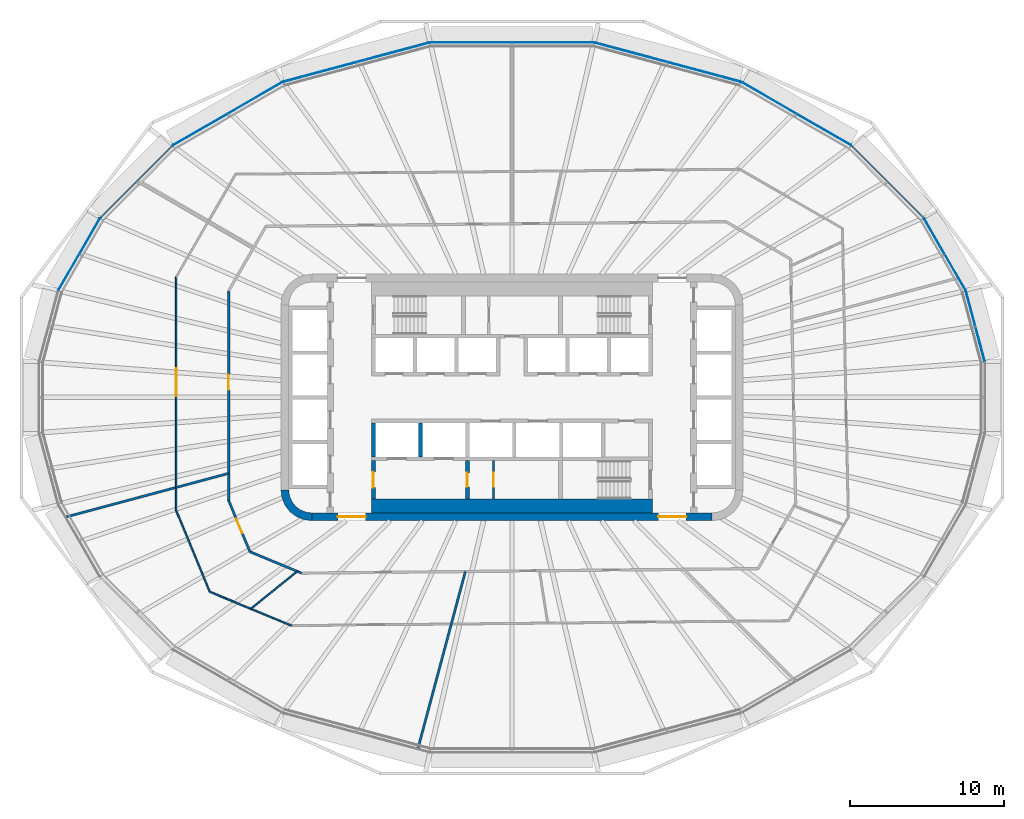
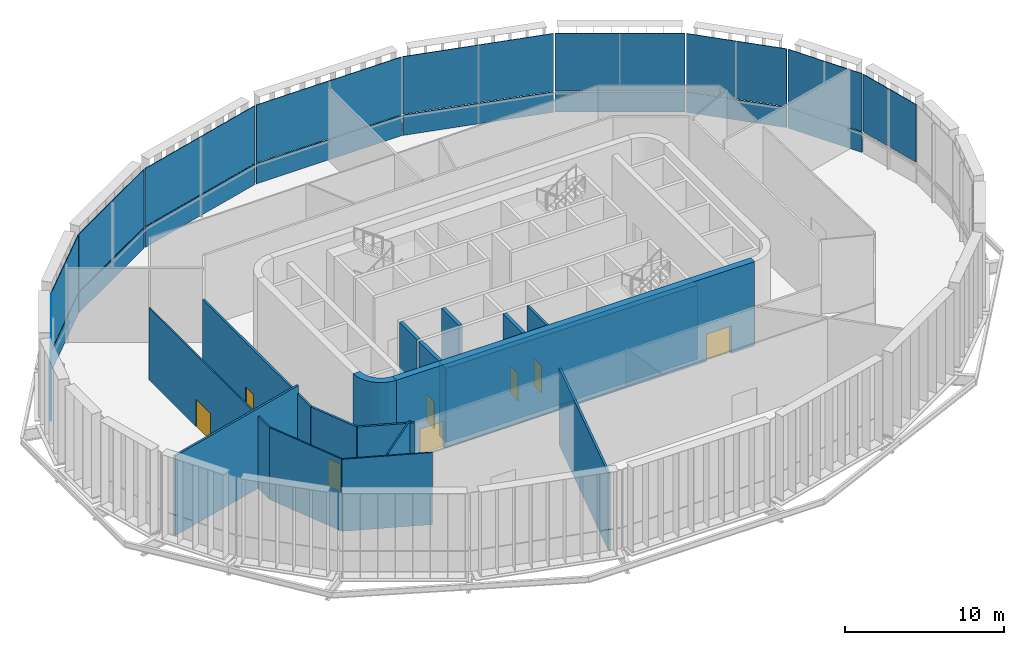
# One storey, part 7 of 18: 19 plates, 17 walls, 8 doors, 8 openings, 10 elements without a shape of their own.
"""IFC4 building model written with IfcOpenShell, lengths in metres."""

from ifc_helpers import new_model, si_unit, direction, frame, frame_2d, origin, place, context, subcontext, project, spatial, polyline, rectangle, outline, extrude, material, layer, layer_set, type_object, element, fill, aggregate, save


model = new_model("IFC4")

# Units and contexts
model_context = context("Model", 3, precision=1e-05, world=origin(), true_north=direction((0.0, 1.0)))
body_context = subcontext(model_context, "Body", "Model", "MODEL_VIEW")
ifc_project = project(units=[si_unit("LENGTHUNIT", "METRE"), si_unit("AREAUNIT", "SQUARE_METRE"), si_unit("VOLUMEUNIT", "CUBIC_METRE"), si_unit("PLANEANGLEUNIT", "RADIAN"), si_unit("MASSUNIT", "GRAM", prefix="KILO")], contexts=[model_context])

# Site, building, storey
site_placement = place(None, origin())
site = spatial("IfcSite", under=ifc_project, at=site_placement, CompositionType="ELEMENT")
building_placement = place(site_placement, origin())
building = spatial("IfcBuilding", under=site, at=building_placement, Name="Sahrelin Media Tower", CompositionType="ELEMENT")
storey_placement = place(building_placement, frame((0.0, 0.0, 203.0)))
storey = spatial("IfcBuildingStorey", under=building, at=storey_placement, Name="L43", CompositionType="ELEMENT", Elevation=203.0)

# Curtain wall, plate
ifc_material_1 = material(Name="Champagne anodised aluminium 6063-T6", Category="aluminium")
ifc_layer_1 = layer(ifc_material_1, 0.14990234375)
ifc_layer_set_1 = layer_set([ifc_layer_1], Name="Sky lobby curtain wall")
curtain_wall_type = type_object("IfcCurtainWallType", Name="Sky lobby curtain wall", PredefinedType="NOTDEFINED", material=ifc_layer_set_1)
curtain_wall_1_placement = place(storey_placement, frame((30.091796875, 4.613525390625, 0.0), z_axis=(0.0, 0.0, 1.0), x_axis=(1.0, 0.0, 0.0)))
curtain_wall_1 = element("IfcCurtainWall", 1, at=curtain_wall_1_placement, inside=storey, type_object=curtain_wall_type, Name="L43:CW:L43-01", PredefinedType="NOTDEFINED")
ifc_material_2 = material(Name="Clear low-iron glazing", Category="glass")
ifc_layer_2 = layer(ifc_material_2, 0.050048828125)
ifc_layer_set_2 = layer_set([ifc_layer_2], Name="Glazing panel 50 mm CW2")
plate_type = type_object("IfcPlateType", Name="Glazing panel 50 mm CW2", PredefinedType="CURTAIN_PANEL", material=ifc_layer_set_2)
plate_1_placement = place(storey_placement, frame((30.719482421875, 2.3486328125, 1.6298828125), z_axis=(0.965913504326, 0.258865026916, 0.0), x_axis=(-0.258865026916, 0.965913504326, 0.0)))
plate_1 = element("IfcPlate", 2, at=plate_1_placement, type_object=plate_type, Name="L43:CWP2:L43-01", PredefinedType="CURTAIN_PANEL", context=body_context, shape_type="SweptSolid", body=[
    extrude(outline(polyline([(0.0, 0.0), (4.700439453125, 0.0), (4.700439453125, 4.418701171875), (0.0, 4.418701171875), (0.0, 0.0)])), origin(), (0.0, 0.0, -1.0), 0.050048828125),
])
aggregate(curtain_wall_1, [plate_1])

# Curtain wall, plates
curtain_wall_2_placement = place(storey_placement, frame((28.10498046875, 9.297119140625, 0.0), z_axis=(0.0, 0.0, 1.0), x_axis=(1.0, 0.0, 0.0)))
curtain_wall_2 = element("IfcCurtainWall", 3, at=curtain_wall_2_placement, inside=storey, type_object=curtain_wall_type, Name="L43:CW:L43-02", PredefinedType="NOTDEFINED")
plate_2_placement = place(storey_placement, frame((29.462890625, 6.9853515625, 0.0), z_axis=(0.866009672569, 0.500027246275, 0.0), x_axis=(-0.500027246275, 0.866009672569, 0.0)))
plate_2 = element("IfcPlate", 4, at=plate_2_placement, type_object=plate_type, Name="L43:CWP1:L43-02", PredefinedType="CURTAIN_PANEL", context=body_context, shape_type="SweptSolid", body=[
    extrude(outline(polyline([(0.0, 0.0), (5.362060546875, 0.0), (5.362060546875, 1.570068359375), (0.0, 1.570068359375), (0.0, 0.0)])), origin(), (0.0, 0.0, -1.0), 0.050048828125),
])
plate_3_placement = place(storey_placement, frame((29.462890625, 6.9853515625, 1.6298828125), z_axis=(0.866009672569, 0.500027246275, 0.0), x_axis=(-0.500027246275, 0.866009672569, 0.0)))
plate_3 = element("IfcPlate", 5, at=plate_3_placement, type_object=plate_type, Name="L43:CWP2:L43-02", PredefinedType="CURTAIN_PANEL", context=body_context, shape_type="SweptSolid", body=[
    extrude(outline(polyline([(0.0, 0.0), (5.362060546875, 0.0), (5.362060546875, 4.418701171875), (0.0, 4.418701171875), (0.0, 0.0)])), origin(), (0.0, 0.0, -1.0), 0.050048828125),
])
aggregate(curtain_wall_2, [plate_2, plate_3])

curtain_wall_3_placement = place(storey_placement, frame((24.3935546875, 14.00830078125, 0.0), z_axis=(0.0, 0.0, 1.0), x_axis=(1.0, 0.0, 0.0)))
curtain_wall_3 = element("IfcCurtainWall", 6, at=curtain_wall_3_placement, inside=storey, type_object=curtain_wall_type, Name="L43:CW:L43-03", PredefinedType="NOTDEFINED")
plate_4_placement = place(storey_placement, frame((26.71826171875, 11.7119140625, 0.0), z_axis=(0.707106781187, 0.707106781187, 0.0), x_axis=(-0.707106781187, 0.707106781187, 0.0)))
plate_4 = element("IfcPlate", 7, at=plate_4_placement, type_object=plate_type, Name="L43:CWP1:L43-03", PredefinedType="CURTAIN_PANEL", context=body_context, shape_type="SweptSolid", body=[
    extrude(outline(polyline([(0.0, 0.0), (6.53515625, 0.0), (6.53515625, 1.570068359375), (0.0, 1.570068359375), (0.0, 0.0)])), origin(), (0.0, 0.0, -1.0), 0.050048828125),
])
plate_5_placement = place(storey_placement, frame((26.71826171875, 11.7119140625, 1.6298828125), z_axis=(0.707106781187, 0.707106781187, 0.0), x_axis=(-0.707106781187, 0.707106781187, 0.0)))
plate_5 = element("IfcPlate", 8, at=plate_5_placement, type_object=plate_type, Name="L43:CWP2:L43-03", PredefinedType="CURTAIN_PANEL", context=body_context, shape_type="SweptSolid", body=[
    extrude(outline(polyline([(0.0, 0.0), (6.53515625, 0.0), (6.53515625, 4.418701171875), (0.0, 4.418701171875), (0.0, 0.0)])), origin(), (0.0, 0.0, -1.0), 0.050048828125),
])
aggregate(curtain_wall_3, [plate_4, plate_5])

curtain_wall_4_placement = place(storey_placement, frame((18.46728515625, 18.421142578125, 0.0), z_axis=(0.0, 0.0, 1.0), x_axis=(1.0, 0.0, 0.0)))
curtain_wall_4 = element("IfcCurtainWall", 9, at=curtain_wall_4_placement, inside=storey, type_object=curtain_wall_type, Name="L43:CW:L43-04", PredefinedType="NOTDEFINED")
plate_6_placement = place(storey_placement, frame((22.014404296875, 16.396484375, 0.0), z_axis=(0.499993243844, 0.866029304418, 0.0), x_axis=(-0.866029304418, 0.499993243844, 0.0)))
plate_6 = element("IfcPlate", 10, at=plate_6_placement, type_object=plate_type, Name="L43:CWP1:L43-04", PredefinedType="CURTAIN_PANEL", context=body_context, shape_type="SweptSolid", body=[
    extrude(outline(polyline([(0.0, 0.0), (8.16845703125, 0.0), (8.16845703125, 1.570068359375), (0.0, 1.570068359375), (0.0, 0.0)])), origin(), (0.0, 0.0, -1.0), 0.050048828125),
])
plate_7_placement = place(storey_placement, frame((22.014404296875, 16.396484375, 1.6298828125), z_axis=(0.499993243844, 0.866029304418, 0.0), x_axis=(-0.866029304418, 0.499993243844, 0.0)))
plate_7 = element("IfcPlate", 11, at=plate_7_placement, type_object=plate_type, Name="L43:CWP2:L43-04", PredefinedType="CURTAIN_PANEL", context=body_context, shape_type="SweptSolid", body=[
    extrude(outline(polyline([(0.0, 0.0), (8.16845703125, 0.0), (8.16845703125, 4.418701171875), (0.0, 4.418701171875), (0.0, 0.0)])), origin(), (0.0, 0.0, -1.0), 0.050048828125),
])
aggregate(curtain_wall_4, [plate_6, plate_7])

curtain_wall_5_placement = place(storey_placement, frame((10.102294921875, 21.770263671875, 0.0), z_axis=(0.0, 0.0, 1.0), x_axis=(1.0, 0.0, 0.0)))
curtain_wall_5 = element("IfcCurtainWall", 12, at=curtain_wall_5_placement, inside=storey, type_object=curtain_wall_type, Name="L43:CW:L43-05", PredefinedType="NOTDEFINED")
plate_8_placement = place(storey_placement, frame((14.843994140625, 20.5205078125, 0.0), z_axis=(0.258832315595, 0.965922270374, 0.0), x_axis=(-0.965922270374, 0.258832315595, 0.0)))
plate_8 = element("IfcPlate", 13, at=plate_8_placement, type_object=plate_type, Name="L43:CWP1:L43-05", PredefinedType="CURTAIN_PANEL", context=body_context, shape_type="SweptSolid", body=[
    extrude(outline(polyline([(0.0, 0.0), (9.806884765625, 0.0), (9.806884765625, 1.570068359375), (0.0, 1.570068359375), (0.0, 0.0)])), origin(), (0.0, 0.0, -1.0), 0.050048828125),
])
plate_9_placement = place(storey_placement, frame((14.843994140625, 20.5205078125, 1.6298828125), z_axis=(0.258832315595, 0.965922270374, 0.0), x_axis=(-0.965922270374, 0.258832315595, 0.0)))
plate_9 = element("IfcPlate", 14, at=plate_9_placement, type_object=plate_type, Name="L43:CWP2:L43-05", PredefinedType="CURTAIN_PANEL", context=body_context, shape_type="SweptSolid", body=[
    extrude(outline(polyline([(0.0, 0.0), (9.806884765625, 0.0), (9.806884765625, 4.418701171875), (0.0, 4.418701171875), (0.0, 0.0)])), origin(), (0.0, 0.0, -1.0), 0.050048828125),
])
aggregate(curtain_wall_5, [plate_8, plate_9])

curtain_wall_6_placement = place(storey_placement, frame((0.0, 23.052490234375, 0.0), z_axis=(0.0, 0.0, 1.0), x_axis=(1.0, 0.0, 0.0)))
curtain_wall_6 = element("IfcCurtainWall", 15, at=curtain_wall_6_placement, inside=storey, type_object=curtain_wall_type, Name="L43:CW:L43-06", PredefinedType="NOTDEFINED")
plate_10_placement = place(storey_placement, frame((5.267822265625, 23.072509765625, 0.0), z_axis=(0.0, 1.0, 0.0), x_axis=(-1.0, 0.0, 0.0)))
plate_10 = element("IfcPlate", 16, at=plate_10_placement, type_object=plate_type, Name="L43:CWP1:L43-06", PredefinedType="CURTAIN_PANEL", context=body_context, shape_type="SweptSolid", body=[
    extrude(outline(polyline([(0.0, 0.0), (10.53564453125, 0.0), (10.53564453125, 1.570068359375), (0.0, 1.570068359375), (0.0, 0.0)])), origin(), (0.0, 0.0, -1.0), 0.050048828125),
])
plate_11_placement = place(storey_placement, frame((5.267822265625, 23.072509765625, 1.6298828125), z_axis=(0.0, 1.0, 0.0), x_axis=(-1.0, 0.0, 0.0)))
plate_11 = element("IfcPlate", 17, at=plate_11_placement, type_object=plate_type, Name="L43:CWP2:L43-06", PredefinedType="CURTAIN_PANEL", context=body_context, shape_type="SweptSolid", body=[
    extrude(outline(polyline([(0.0, 0.0), (10.53564453125, 0.0), (10.53564453125, 4.418701171875), (0.0, 4.418701171875), (0.0, 0.0)])), origin(), (0.0, 0.0, -1.0), 0.050048828125),
])
aggregate(curtain_wall_6, [plate_10, plate_11])

curtain_wall_7_placement = place(storey_placement, frame((-10.102294921875, 21.7705078125, 0.0), z_axis=(0.0, 0.0, 1.0), x_axis=(1.0, 0.0, 0.0)))
curtain_wall_7 = element("IfcCurtainWall", 18, at=curtain_wall_7_placement, inside=storey, type_object=curtain_wall_type, Name="L43:CW:L43-07", PredefinedType="NOTDEFINED")
plate_12_placement = place(storey_placement, frame((-5.371337890625, 23.058837890625, 0.0), z_axis=(-0.258832315595, 0.965922270374, 0.0), x_axis=(-0.965922270374, -0.258832315595, 0.0)))
plate_12 = element("IfcPlate", 19, at=plate_12_placement, type_object=plate_type, Name="L43:CWP1:L43-07", PredefinedType="CURTAIN_PANEL", context=body_context, shape_type="SweptSolid", body=[
    extrude(outline(polyline([(0.0, 0.0), (9.806884765625, 0.0), (9.806884765625, 1.570068359375), (0.0, 1.570068359375), (0.0, 0.0)])), origin(), (0.0, 0.0, -1.0), 0.050048828125),
])
plate_13_placement = place(storey_placement, frame((-5.371337890625, 23.058837890625, 1.6298828125), z_axis=(-0.258832315595, 0.965922270374, 0.0), x_axis=(-0.965922270374, -0.258832315595, 0.0)))
plate_13 = element("IfcPlate", 20, at=plate_13_placement, type_object=plate_type, Name="L43:CWP2:L43-07", PredefinedType="CURTAIN_PANEL", context=body_context, shape_type="SweptSolid", body=[
    extrude(outline(polyline([(0.0, 0.0), (9.806884765625, 0.0), (9.806884765625, 4.418701171875), (0.0, 4.418701171875), (0.0, 0.0)])), origin(), (0.0, 0.0, -1.0), 0.050048828125),
])
aggregate(curtain_wall_7, [plate_12, plate_13])

curtain_wall_8_placement = place(storey_placement, frame((-18.46728515625, 18.421142578125, 0.0), z_axis=(0.0, 0.0, 1.0), x_axis=(1.0, 0.0, 0.0)))
curtain_wall_8 = element("IfcCurtainWall", 21, at=curtain_wall_8_placement, inside=storey, type_object=curtain_wall_type, Name="L43:CW:L43-08", PredefinedType="NOTDEFINED")
plate_14_placement = place(storey_placement, frame((-14.940185546875, 20.480712890625, 0.0), z_axis=(-0.499993243844, 0.866029304418, 0.0), x_axis=(-0.866029304418, -0.499993243844, 0.0)))
plate_14 = element("IfcPlate", 22, at=plate_14_placement, type_object=plate_type, Name="L43:CWP1:L43-08", PredefinedType="CURTAIN_PANEL", context=body_context, shape_type="SweptSolid", body=[
    extrude(outline(polyline([(0.0, 0.0), (8.16845703125, 0.0), (8.16845703125, 1.570068359375), (0.0, 1.570068359375), (0.0, 0.0)])), origin(), (0.0, 0.0, -1.0), 0.050048828125),
])
plate_15_placement = place(storey_placement, frame((-14.940185546875, 20.480712890625, 1.6298828125), z_axis=(-0.499993243844, 0.866029304418, 0.0), x_axis=(-0.866029304418, -0.499993243844, 0.0)))
plate_15 = element("IfcPlate", 23, at=plate_15_placement, type_object=plate_type, Name="L43:CWP2:L43-08", PredefinedType="CURTAIN_PANEL", context=body_context, shape_type="SweptSolid", body=[
    extrude(outline(polyline([(0.0, 0.0), (8.16845703125, 0.0), (8.16845703125, 4.418701171875), (0.0, 4.418701171875), (0.0, 0.0)])), origin(), (0.0, 0.0, -1.0), 0.050048828125),
])
aggregate(curtain_wall_8, [plate_14, plate_15])

curtain_wall_9_placement = place(storey_placement, frame((-24.3935546875, 14.00830078125, 0.0), z_axis=(0.0, 0.0, 1.0), x_axis=(1.0, 0.0, 0.0)))
curtain_wall_9 = element("IfcCurtainWall", 24, at=curtain_wall_9_placement, inside=storey, type_object=curtain_wall_type, Name="L43:CW:L43-09", PredefinedType="NOTDEFINED")
plate_16_placement = place(storey_placement, frame((-22.09716796875, 16.3330078125, 0.0), z_axis=(-0.707106781187, 0.707106781187, 0.0), x_axis=(-0.707106781187, -0.707106781187, 0.0)))
plate_16 = element("IfcPlate", 25, at=plate_16_placement, type_object=plate_type, Name="L43:CWP1:L43-09", PredefinedType="CURTAIN_PANEL", context=body_context, shape_type="SweptSolid", body=[
    extrude(outline(polyline([(0.0, 0.0), (6.53515625, 0.0), (6.53515625, 1.570068359375), (0.0, 1.570068359375), (0.0, 0.0)])), origin(), (0.0, 0.0, -1.0), 0.050048828125),
])
plate_17_placement = place(storey_placement, frame((-22.09716796875, 16.3330078125, 1.6298828125), z_axis=(-0.707106781187, 0.707106781187, 0.0), x_axis=(-0.707106781187, -0.707106781187, 0.0)))
plate_17 = element("IfcPlate", 26, at=plate_17_placement, type_object=plate_type, Name="L43:CWP2:L43-09", PredefinedType="CURTAIN_PANEL", context=body_context, shape_type="SweptSolid", body=[
    extrude(outline(polyline([(0.0, 0.0), (6.53515625, 0.0), (6.53515625, 4.418701171875), (0.0, 4.418701171875), (0.0, 0.0)])), origin(), (0.0, 0.0, -1.0), 0.050048828125),
])
aggregate(curtain_wall_9, [plate_16, plate_17])

curtain_wall_10_placement = place(storey_placement, frame((-28.10498046875, 9.297119140625, 0.0), z_axis=(0.0, 0.0, 1.0), x_axis=(1.0, 0.0, 0.0)))
curtain_wall_10 = element("IfcCurtainWall", 27, at=curtain_wall_10_placement, inside=storey, type_object=curtain_wall_type, Name="L43:CW:L43-10", PredefinedType="NOTDEFINED")
plate_18_placement = place(storey_placement, frame((-26.78173828125, 11.62890625, 0.0), z_axis=(-0.866009672569, 0.500027246275, 0.0), x_axis=(-0.500027246275, -0.866009672569, 0.0)))
plate_18 = element("IfcPlate", 28, at=plate_18_placement, type_object=plate_type, Name="L43:CWP1:L43-10", PredefinedType="CURTAIN_PANEL", context=body_context, shape_type="SweptSolid", body=[
    extrude(outline(polyline([(0.0, 0.0), (5.362060546875, 0.0), (5.362060546875, 1.570068359375), (0.0, 1.570068359375), (0.0, 0.0)])), origin(), (0.0, 0.0, -1.0), 0.050048828125),
])
plate_19_placement = place(storey_placement, frame((-26.78173828125, 11.62890625, 1.6298828125), z_axis=(-0.866009672569, 0.500027246275, 0.0), x_axis=(-0.500027246275, -0.866009672569, 0.0)))
plate_19 = element("IfcPlate", 29, at=plate_19_placement, type_object=plate_type, Name="L43:CWP2:L43-10", PredefinedType="CURTAIN_PANEL", context=body_context, shape_type="SweptSolid", body=[
    extrude(outline(polyline([(0.0, 0.0), (5.362060546875, 0.0), (5.362060546875, 4.418701171875), (0.0, 4.418701171875), (0.0, 0.0)])), origin(), (0.0, 0.0, -1.0), 0.050048828125),
])
aggregate(curtain_wall_10, [plate_18, plate_19])

# Wall, openings, doors
ifc_material_3 = material(Name="Concrete C60/75", Category="concrete")
ifc_layer_3 = layer(ifc_material_3, 0.5)
ifc_layer_set_3 = layer_set([ifc_layer_3], Name="Core wall 500")
wall_type_1 = type_object("IfcWallType", Name="Core wall 500", PredefinedType="SHEAR", material=ifc_layer_set_3)
wall_1_placement = place(storey_placement, frame((-13.0, -7.75, 0.0), z_axis=(0.0, 0.0, 1.0), x_axis=(1.0, 0.0, 0.0)))
wall_1 = element("IfcWall", 30, at=wall_1_placement, inside=storey, type_object=wall_type_1, Name="Core wall S L43", PredefinedType="SHEAR", context=body_context, shape_type="SweptSolid", body=[
    extrude(rectangle(XDim=26.0, YDim=0.5, at=frame_2d((13.0, 0.0))), origin(), (0.0, 0.0, 1.0), 6.449951171875),
])
opening_1_placement = place(wall_1_placement, frame((1.699951171875, 0.0, 0.0)))
opening_1 = element("IfcOpeningElement", 31, at=opening_1_placement, cuts=wall_1, Name="Opening L43-D16", PredefinedType="OPENING", context=body_context, shape_type="SweptSolid", body=[
    extrude(rectangle(XDim=1.800048828125, YDim=2.10009765625, at=frame_2d((0.89990234375, 1.050048828125))), frame((0.0, 0.25, 0.0), z_axis=(0.0, -1.0, 0.0), x_axis=(1.0, 0.0, 0.0)), (0.0, 0.0, 1.0), 0.5),
])
opening_2_placement = place(wall_1_placement, frame((22.5, 0.0, 0.0)))
opening_2 = element("IfcOpeningElement", 32, at=opening_2_placement, cuts=wall_1, Name="Opening L43-D17", PredefinedType="OPENING", context=body_context, shape_type="SweptSolid", body=[
    extrude(rectangle(XDim=1.800048828125, YDim=2.10009765625, at=frame_2d((0.89990234375, 1.050048828125))), frame((0.0, 0.25, 0.0), z_axis=(0.0, -1.0, 0.0), x_axis=(1.0, 0.0, 0.0)), (0.0, 0.0, 1.0), 0.5),
])
ifc_material_4 = material(Name="Steel fire door leaf", Category="steel")
door_type_1 = type_object("IfcDoorType", Name="Lobby double door 1800 x 2100 EI 60", OperationType="DOUBLE_DOOR_SINGLE_SWING", PredefinedType="DOOR", material=ifc_material_4)
door_1_placement = place(opening_1_placement, origin())
door_1 = element("IfcDoor", 33, at=door_1_placement, inside=storey, type_object=door_type_1, Name="Lobby door", OperationType="DOUBLE_DOOR_SINGLE_SWING", OverallHeight=2.10009765625, OverallWidth=1.800048828125, PredefinedType="DOOR", context=body_context, shape_type="SweptSolid", body=[
    extrude(rectangle(XDim=1.800048828125, YDim=2.10009765625, at=frame_2d((0.89990234375, 1.050048828125))), frame((0.0, 0.02490234375, 0.0), z_axis=(0.0, -1.0, 0.0), x_axis=(1.0, 0.0, 0.0)), (0.0, 0.0, 1.0), 0.050048828125),
])
fill(opening_1, door_1)
door_2_placement = place(opening_2_placement, origin())
door_2 = element("IfcDoor", 34, at=door_2_placement, inside=storey, type_object=door_type_1, Name="Lobby door", OperationType="DOUBLE_DOOR_SINGLE_SWING", OverallHeight=2.10009765625, OverallWidth=1.800048828125, PredefinedType="DOOR", context=body_context, shape_type="SweptSolid", body=[
    extrude(rectangle(XDim=1.800048828125, YDim=2.10009765625, at=frame_2d((0.89990234375, 1.050048828125))), frame((0.0, 0.02490234375, 0.0), z_axis=(0.0, -1.0, 0.0), x_axis=(1.0, 0.0, 0.0)), (0.0, 0.0, 1.0), 0.050048828125),
])
fill(opening_2, door_2)

# Wall
wall_2_placement = place(storey_placement, origin())
element("IfcWall", 35, at=wall_2_placement, inside=storey, type_object=wall_type_1, Name="Core wall corner SW L43", PredefinedType="SHEAR", context=body_context, shape_type="SweptSolid", body=[
    extrude(outline(polyline([(-13.0, -8.0), (-13.0, -7.49560546875), (-13.38720703125, -7.44482421875), (-13.747802734375, -7.29541015625), (-14.0576171875, -7.0576171875), (-14.29541015625, -6.747802734375), (-14.44482421875, -6.38720703125), (-14.49560546875, -6.0), (-15.0, -6.0), (-14.931884765625, -6.517578125), (-14.732177734375, -7.0), (-14.414306640625, -7.414306640625), (-14.0, -7.732177734375), (-13.517578125, -7.931884765625), (-13.0, -8.0)])), origin(), (0.0, 0.0, 1.0), 6.449951171875),
])

# Wall, opening, door
ifc_material_5 = material(Name="Fire-rated gypsum board partition")
ifc_layer_4 = layer(ifc_material_5, 0.14990234375)
ifc_layer_set_4 = layer_set([ifc_layer_4], Name="Fire-rated partition 150")
wall_type_2 = type_object("IfcWallType", Name="Fire-rated partition 150", PredefinedType="PARTITIONING", material=ifc_layer_set_4)
wall_3_placement = place(storey_placement, frame((-1.199951171875, -6.60009765625, 0.0), z_axis=(0.0, 0.0, 1.0), x_axis=(0.0, 1.0, 0.0)))
wall_3 = element("IfcWall", 36, at=wall_3_placement, inside=storey, type_object=wall_type_2, Name="Core room fire partition", PredefinedType="PARTITIONING", context=body_context, shape_type="SweptSolid", body=[
    extrude(rectangle(XDim=2.5, YDim=0.14990234375, at=frame_2d((1.25, 0.0))), origin(), (0.0, 0.0, 1.0), 5.699951171875),
])
opening_3_placement = place(wall_3_placement, frame((0.800048828125, 0.0, 0.0)))
opening_3 = element("IfcOpeningElement", 37, at=opening_3_placement, cuts=wall_3, Name="Opening L43-D08", PredefinedType="OPENING", context=body_context, shape_type="SweptSolid", body=[
    extrude(rectangle(XDim=0.89990234375, YDim=2.10009765625, at=frame_2d((0.449951171875, 1.050048828125))), frame((0.0, 0.074951171875, 0.0), z_axis=(0.0, -1.0, 0.0), x_axis=(1.0, 0.0, 0.0)), (0.0, 0.0, 1.0), 0.14990234375),
])
door_type_2 = type_object("IfcDoorType", Name="Fire door 900 x 2100 EI 60", OperationType="NOTDEFINED", PredefinedType="DOOR", material=ifc_material_4)
door_3_placement = place(opening_3_placement, origin())
door_3 = element("IfcDoor", 38, at=door_3_placement, inside=storey, type_object=door_type_2, Name="Core room door", OperationType="SINGLE_SWING_RIGHT", OverallHeight=2.10009765625, OverallWidth=0.89990234375, PredefinedType="DOOR", context=body_context, shape_type="SweptSolid", body=[
    extrude(rectangle(XDim=0.89990234375, YDim=2.10009765625, at=frame_2d((0.449951171875, 1.050048828125))), frame((0.0, 0.02490234375, 0.0), z_axis=(0.0, -1.0, 0.0), x_axis=(1.0, 0.0, 0.0)), (0.0, 0.0, 1.0), 0.050048828125),
])
fill(opening_3, door_3)

wall_4_placement = place(storey_placement, frame((-18.39990234375, -6.677001953125, 0.0), z_axis=(0.0, 0.0, 1.0), x_axis=(0.382844919445, -0.923812625837, 0.0)))
wall_4 = element("IfcWall", 39, at=wall_4_placement, inside=storey, type_object=wall_type_2, Name="Wall", PredefinedType="PARTITIONING", context=body_context, shape_type="SweptSolid", body=[
    extrude(rectangle(XDim=3.614501953125, YDim=0.14990234375, at=frame_2d((1.80712890625, 0.0))), origin(), (0.0, 0.0, 1.0), 5.527099609375),
])
opening_4_placement = place(wall_4_placement, frame((1.30712890625, 0.0, 0.0)))
opening_4 = element("IfcOpeningElement", 40, at=opening_4_placement, cuts=wall_4, Name="Opening L43-D27", PredefinedType="OPENING", context=body_context, shape_type="SweptSolid", body=[
    extrude(rectangle(XDim=1.0, YDim=2.10009765625, at=frame_2d((0.5, 1.050048828125))), frame((0.0, 0.074951171875, 0.0), z_axis=(0.0, -1.0, 0.0), x_axis=(1.0, 0.0, 0.0)), (0.0, 0.0, 1.0), 0.14990234375),
])
door_type_3 = type_object("IfcDoorType", Name="Fire door 1000 x 2100 EI 60", OperationType="NOTDEFINED", PredefinedType="DOOR", material=ifc_material_4)
door_4_placement = place(opening_4_placement, origin())
door_4 = element("IfcDoor", 41, at=door_4_placement, inside=storey, type_object=door_type_3, Name="Fire door", OperationType="SINGLE_SWING_RIGHT", OverallHeight=2.10009765625, OverallWidth=1.0, PredefinedType="DOOR", context=body_context, shape_type="SweptSolid", body=[
    extrude(rectangle(XDim=1.0, YDim=2.10009765625, at=frame_2d((0.5, 1.050048828125))), frame((0.0, 0.02490234375, 0.0), z_axis=(0.0, -1.0, 0.0), x_axis=(1.0, 0.0, 0.0)), (0.0, 0.0, 1.0), 0.050048828125),
])
fill(opening_4, door_4)

# Walls
wall_5_placement = place(storey_placement, frame((-17.01611328125, -10.01611328125, 0.0), z_axis=(0.0, 0.0, 1.0), x_axis=(0.923755451027, -0.382982854314, 0.0)))
element("IfcWall", 42, at=wall_5_placement, inside=storey, type_object=wall_type_2, Name="Wall", PredefinedType="PARTITIONING", context=body_context, shape_type="SweptSolid", body=[
    extrude(rectangle(XDim=3.633056640625, YDim=0.14990234375, at=frame_2d((1.81640625, 0.0))), origin(), (0.0, 0.0, 1.0), 5.527099609375),
])
wall_6_placement = place(storey_placement, frame((-28.988037109375, -7.76708984375, 0.0), z_axis=(0.0, 0.0, 1.0), x_axis=(0.96592965996, 0.258804737225, 0.0)))
element("IfcWall", 43, at=wall_6_placement, inside=storey, type_object=wall_type_2, Name="Wall", PredefinedType="PARTITIONING", context=body_context, shape_type="SweptSolid", body=[
    extrude(rectangle(XDim=10.961669921875, YDim=0.14990234375, at=frame_2d((5.48095703125, 0.0))), origin(), (0.0, 0.0, 1.0), 6.126708984375),
])
wall_7_placement = place(storey_placement, frame((-6.118896484375, -22.8369140625, 0.0), z_axis=(0.0, 0.0, 1.0), x_axis=(0.258861094582, 0.965914558184, 0.0)))
element("IfcWall", 44, at=wall_7_placement, inside=storey, type_object=wall_type_2, Name="Wall", PredefinedType="PARTITIONING", context=body_context, shape_type="SweptSolid", body=[
    extrude(rectangle(XDim=11.94189453125, YDim=0.14990234375, at=frame_2d((5.970947265625, 0.0))), origin(), (0.0, 0.0, 1.0), 5.901611328125),
])

# Wall, opening, door
wall_8_placement = place(storey_placement, frame((-18.39990234375, -6.677001953125, 0.0), z_axis=(0.0, 0.0, 1.0), x_axis=(0.0, 1.0, 0.0)))
wall_8 = element("IfcWall", 45, at=wall_8_placement, inside=storey, type_object=wall_type_2, Name="Wall", PredefinedType="PARTITIONING", context=body_context, shape_type="SweptSolid", body=[
    extrude(rectangle(XDim=13.587890625, YDim=0.14990234375, at=frame_2d((6.7939453125, 0.0))), origin(), (0.0, 0.0, 1.0), 5.518310546875),
])
opening_5_placement = place(wall_8_placement, frame((7.16748046875, 0.0, 0.0)))
opening_5 = element("IfcOpeningElement", 46, at=opening_5_placement, cuts=wall_8, Name="Opening L43-D25", PredefinedType="OPENING", context=body_context, shape_type="SweptSolid", body=[
    extrude(rectangle(XDim=1.0, YDim=2.10009765625, at=frame_2d((0.5, 1.050048828125))), frame((0.0, 0.074951171875, 0.0), z_axis=(0.0, -1.0, 0.0), x_axis=(1.0, 0.0, 0.0)), (0.0, 0.0, 1.0), 0.14990234375),
])
door_5_placement = place(opening_5_placement, origin())
door_5 = element("IfcDoor", 47, at=door_5_placement, inside=storey, type_object=door_type_3, Name="Fire door", OperationType="SINGLE_SWING_RIGHT", OverallHeight=2.10009765625, OverallWidth=1.0, PredefinedType="DOOR", context=body_context, shape_type="SweptSolid", body=[
    extrude(rectangle(XDim=1.0, YDim=2.10009765625, at=frame_2d((0.5, 1.050048828125))), frame((0.0, 0.02490234375, 0.0), z_axis=(0.0, -1.0, 0.0), x_axis=(1.0, 0.0, 0.0)), (0.0, 0.0, 1.0), 0.050048828125),
])
fill(opening_5, door_5)

ifc_layer_5 = layer(ifc_material_5, 0.25)
ifc_layer_set_5 = layer_set([ifc_layer_5], Name="Firefighting lobby wall 250")
wall_type_3 = type_object("IfcWallType", Name="Firefighting lobby wall 250", PredefinedType="PARTITIONING", material=ifc_layer_set_5)
wall_9_placement = place(storey_placement, frame((-9.0, -6.60009765625, 0.0), z_axis=(0.0, 0.0, 1.0), x_axis=(0.0, 1.0, 0.0)))
wall_9 = element("IfcWall", 48, at=wall_9_placement, inside=storey, type_object=wall_type_3, Name="Core wall", PredefinedType="PARTITIONING", context=body_context, shape_type="SweptSolid", body=[
    extrude(rectangle(XDim=2.5, YDim=0.25, at=frame_2d((1.25, 0.0))), origin(), (0.0, 0.0, 1.0), 5.699951171875),
])
opening_6_placement = place(wall_9_placement, frame((0.75, 0.0, 0.0)))
opening_6 = element("IfcOpeningElement", 49, at=opening_6_placement, cuts=wall_9, Name="Opening L43-D04", PredefinedType="OPENING", context=body_context, shape_type="SweptSolid", body=[
    extrude(rectangle(XDim=1.0, YDim=2.10009765625, at=frame_2d((0.5, 1.050048828125))), frame((0.0, 0.125, 0.0), z_axis=(0.0, -1.0, 0.0), x_axis=(1.0, 0.0, 0.0)), (0.0, 0.0, 1.0), 0.25),
])
door_type_4 = type_object("IfcDoorType", Name="Firefighting lobby door 1000 x 2100 EI 120", OperationType="NOTDEFINED", PredefinedType="DOOR", material=ifc_material_4)
door_6_placement = place(opening_6_placement, origin())
door_6 = element("IfcDoor", 50, at=door_6_placement, inside=storey, type_object=door_type_4, Name="Firefighting lobby door", OperationType="SINGLE_SWING_LEFT", OverallHeight=2.10009765625, OverallWidth=1.0, PredefinedType="DOOR", context=body_context, shape_type="SweptSolid", body=[
    extrude(rectangle(XDim=1.0, YDim=2.10009765625, at=frame_2d((0.5, 1.050048828125))), frame((0.0, 0.02490234375, 0.0), z_axis=(0.0, -1.0, 0.0), x_axis=(1.0, 0.0, 0.0)), (0.0, 0.0, 1.0), 0.050048828125),
])
fill(opening_6, door_6)

wall_10_placement = place(storey_placement, frame((-2.89990234375, -6.60009765625, 0.0), z_axis=(0.0, 0.0, 1.0), x_axis=(0.0, 1.0, 0.0)))
wall_10 = element("IfcWall", 51, at=wall_10_placement, inside=storey, type_object=wall_type_3, Name="Core wall", PredefinedType="PARTITIONING", context=body_context, shape_type="SweptSolid", body=[
    extrude(rectangle(XDim=2.5, YDim=0.25, at=frame_2d((1.25, 0.0))), origin(), (0.0, 0.0, 1.0), 5.699951171875),
])
opening_7_placement = place(wall_10_placement, frame((0.800048828125, 0.0, 0.0)))
opening_7 = element("IfcOpeningElement", 52, at=opening_7_placement, cuts=wall_10, Name="Opening L43-D05", PredefinedType="OPENING", context=body_context, shape_type="SweptSolid", body=[
    extrude(rectangle(XDim=0.89990234375, YDim=2.10009765625, at=frame_2d((0.449951171875, 1.050048828125))), frame((0.0, 0.125, 0.0), z_axis=(0.0, -1.0, 0.0), x_axis=(1.0, 0.0, 0.0)), (0.0, 0.0, 1.0), 0.25),
])
door_type_5 = type_object("IfcDoorType", Name="Firefighting lobby door 900 x 2100 EI 120", OperationType="NOTDEFINED", PredefinedType="DOOR", material=ifc_material_4)
door_7_placement = place(opening_7_placement, origin())
door_7 = element("IfcDoor", 53, at=door_7_placement, inside=storey, type_object=door_type_5, Name="Riser door", OperationType="SINGLE_SWING_RIGHT", OverallHeight=2.10009765625, OverallWidth=0.89990234375, PredefinedType="DOOR", context=body_context, shape_type="SweptSolid", body=[
    extrude(rectangle(XDim=0.89990234375, YDim=2.10009765625, at=frame_2d((0.449951171875, 1.050048828125))), frame((0.0, 0.02490234375, 0.0), z_axis=(0.0, -1.0, 0.0), x_axis=(1.0, 0.0, 0.0)), (0.0, 0.0, 1.0), 0.050048828125),
])
fill(opening_7, door_7)

# Walls
ifc_layer_6 = layer(ifc_material_3, 0.25)
ifc_layer_set_6 = layer_set([ifc_layer_6], Name="Lift shaft wall 250")
wall_type_4 = type_object("IfcWallType", Name="Lift shaft wall 250", PredefinedType="SOLIDWALL", material=ifc_layer_set_6)
for number, where, z_axis, x_axis, name in (
    (54, (-9.0, -3.85009765625, 0.0), (0.0, 0.0, 1.0), (0.0, 1.0, 0.0), "Lift shaft wall"),
    (55, (-5.949951171875, -3.85009765625, 0.0), (0.0, 0.0, 1.0), (0.0, 1.0, 0.0), "Lift shaft wall"),
):
    element("IfcWall", number, at=place(storey_placement, frame(where, z_axis=z_axis, x_axis=x_axis)), inside=storey, type_object=wall_type_4, Name=name, PredefinedType="SOLIDWALL", context=body_context, shape_type="SweptSolid", body=[
        extrude(rectangle(XDim=2.2001953125, YDim=0.25, at=frame_2d((1.10009765625, 0.0))), origin(), (0.0, 0.0, 1.0), 5.699951171875),
    ])
ifc_material_6 = material(Name="Gypsum board partition")
ifc_layer_7 = layer(ifc_material_6, 0.10009765625)
ifc_layer_set_7 = layer_set([ifc_layer_7], Name="Partition 100")
wall_type_5 = type_object("IfcWallType", Name="Partition 100", PredefinedType="PARTITIONING", material=ifc_layer_set_7)
wall_11_placement = place(storey_placement, frame((-21.800048828125, -7.35400390625, 0.0), z_axis=(0.0, 0.0, 1.0), x_axis=(0.382944578189, -0.923771319124, 0.0)))
element("IfcWall", 56, at=wall_11_placement, inside=storey, type_object=wall_type_5, Name="Wall", PredefinedType="PARTITIONING", context=body_context, shape_type="SweptSolid", body=[
    extrude(rectangle(XDim=5.6982421875, YDim=0.10009765625, at=frame_2d((2.84912109375, 0.0))), origin(), (0.0, 0.0, 1.0), 5.527099609375),
])
wall_12_placement = place(storey_placement, frame((-19.617919921875, -12.617919921875, 0.0), z_axis=(0.0, 0.0, 1.0), x_axis=(0.923780681685, -0.382921992247, 0.0)))
element("IfcWall", 57, at=wall_12_placement, inside=storey, type_object=wall_type_5, Name="Wall", PredefinedType="PARTITIONING", context=body_context, shape_type="SweptSolid", body=[
    extrude(rectangle(XDim=5.73486328125, YDim=0.10009765625, at=frame_2d((2.867431640625, 0.0))), origin(), (0.0, 0.0, 1.0), 5.527099609375),
])
wall_13_placement = place(storey_placement, frame((-16.947998046875, -13.72509765625, 0.0), z_axis=(0.0, 0.0, 1.0), x_axis=(0.777049371159, 0.629439651421, 0.0)))
element("IfcWall", 58, at=wall_13_placement, inside=storey, type_object=wall_type_5, Name="Wall", PredefinedType="PARTITIONING", context=body_context, shape_type="SweptSolid", body=[
    extrude(rectangle(XDim=3.86865234375, YDim=0.10009765625, at=frame_2d((1.934326171875, 0.0))), origin(), (0.0, 0.0, 1.0), 5.699951171875),
])

# Wall, opening, door
wall_14_placement = place(storey_placement, frame((-21.800048828125, -7.35400390625, 0.0), z_axis=(0.0, 0.0, 1.0), x_axis=(0.0, 1.0, 0.0)))
wall_14 = element("IfcWall", 59, at=wall_14_placement, inside=storey, type_object=wall_type_5, Name="Wall", PredefinedType="PARTITIONING", context=body_context, shape_type="SweptSolid", body=[
    extrude(rectangle(XDim=15.176025390625, YDim=0.10009765625, at=frame_2d((7.587890625, 0.0))), origin(), (0.0, 0.0, 1.0), 5.518310546875),
])
opening_8_placement = place(wall_14_placement, frame((7.444580078125, 0.0, 0.0)))
opening_8 = element("IfcOpeningElement", 60, at=opening_8_placement, cuts=wall_14, Name="Opening L43-D26", PredefinedType="OPENING", context=body_context, shape_type="SweptSolid", body=[
    extrude(rectangle(XDim=1.800048828125, YDim=2.10009765625, at=frame_2d((0.89990234375, 1.050048828125))), frame((0.0, 0.050048828125, 0.0), z_axis=(0.0, -1.0, 0.0), x_axis=(1.0, 0.0, 0.0)), (0.0, 0.0, 1.0), 0.10009765625),
])
ifc_material_7 = material(Name="Timber door leaf", Category="wood")
door_type_6 = type_object("IfcDoorType", Name="Double door 1800 x 2100", OperationType="DOUBLE_DOOR_SINGLE_SWING", PredefinedType="DOOR", material=ifc_material_7)
door_8_placement = place(opening_8_placement, origin())
door_8 = element("IfcDoor", 61, at=door_8_placement, inside=storey, type_object=door_type_6, Name="Double door", OperationType="DOUBLE_DOOR_SINGLE_SWING", OverallHeight=2.10009765625, OverallWidth=1.800048828125, PredefinedType="DOOR", context=body_context, shape_type="SweptSolid", body=[
    extrude(rectangle(XDim=1.800048828125, YDim=2.10009765625, at=frame_2d((0.89990234375, 1.050048828125))), frame((0.0, 0.02490234375, 0.0), z_axis=(0.0, -1.0, 0.0), x_axis=(1.0, 0.0, 0.0)), (0.0, 0.0, 1.0), 0.050048828125),
])
fill(opening_8, door_8)

# Wall
ifc_layer_8 = layer(ifc_material_3, 0.89990234375)
ifc_layer_set_8 = layer_set([ifc_layer_8], Name="Stair enclosure wall 900")
wall_type_6 = type_object("IfcWallType", Name="Stair enclosure wall 900", PredefinedType="SOLIDWALL", material=ifc_layer_set_8)
wall_15_placement = place(storey_placement, frame((-9.125, -7.050048828125, 0.0), z_axis=(0.0, 0.0, 1.0), x_axis=(1.0, 0.0, 0.0)))
element("IfcWall", 62, at=wall_15_placement, inside=storey, type_object=wall_type_6, Name="Stair enclosure wall", PredefinedType="SOLIDWALL", context=body_context, shape_type="SweptSolid", body=[
    extrude(rectangle(XDim=18.25, YDim=0.89990234375, at=frame_2d((9.125, 0.0))), origin(), (0.0, 0.0, 1.0), 5.699951171875),
])

save(model, "model.ifc")
